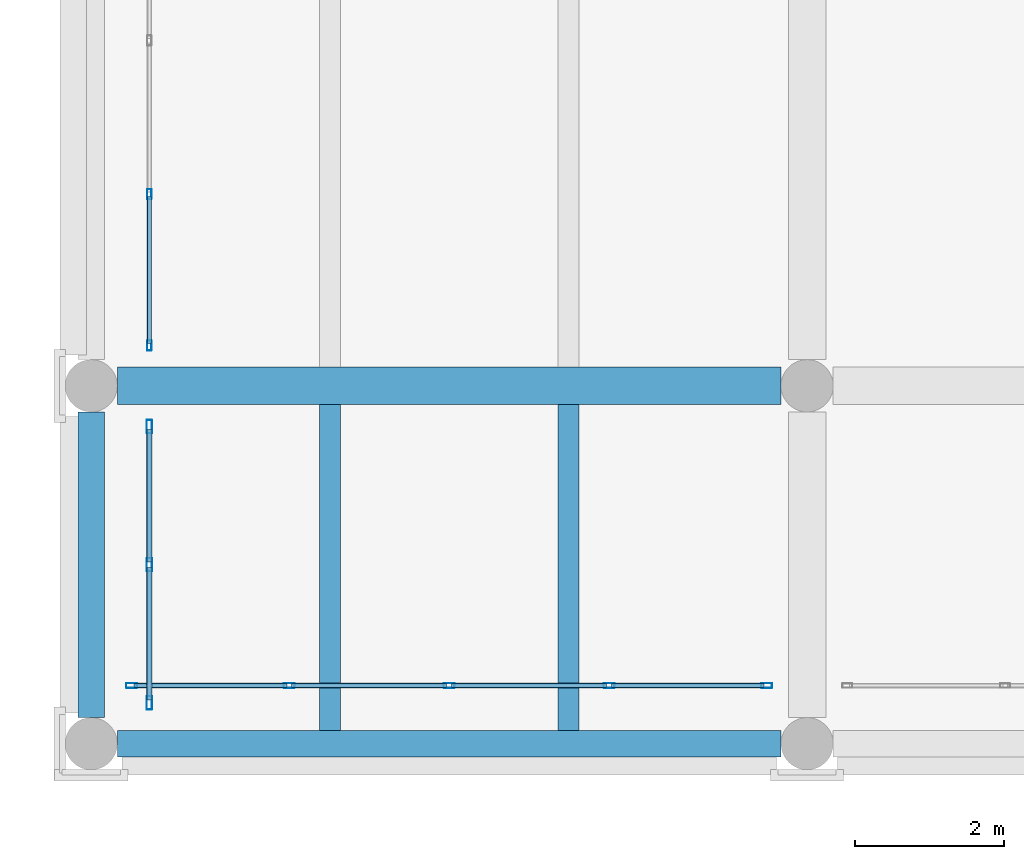
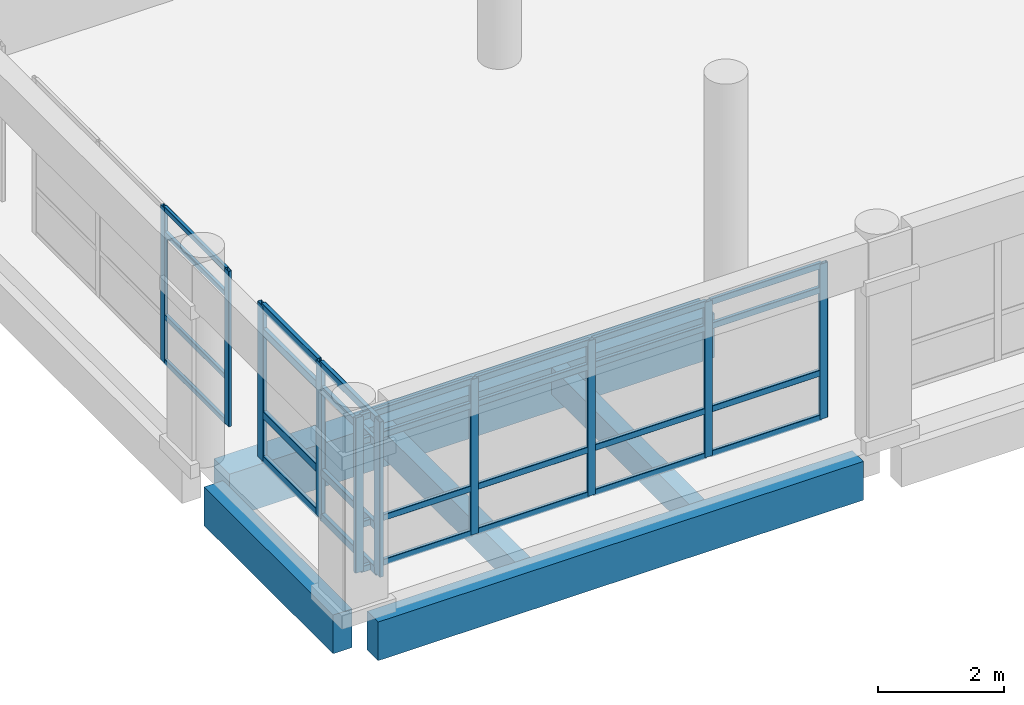
# One storey, part 9 of 180: 38 members, 5 beams, 3 elements without a shape of their own.
"""IFC4 building model written with IfcOpenShell, lengths in metres."""

from ifc_helpers import new_model, si_unit, direction, frame, origin, origin_2d, place, context, subcontext, project, spatial, rectangle, hollow_rectangle, extrude, material, layer, layer_set, material_profile, profile_set, type_object, element, aggregate, save


model = new_model("IFC4")

# Units and contexts
model_context = context("Model", 3, precision=1e-05, world=origin(), true_north=direction((0.0, 1.0)))
body_context = subcontext(model_context, "Body", "Model", "MODEL_VIEW")
ifc_project = project(units=[si_unit("LENGTHUNIT", "METRE"), si_unit("AREAUNIT", "SQUARE_METRE"), si_unit("VOLUMEUNIT", "CUBIC_METRE"), si_unit("PLANEANGLEUNIT", "RADIAN"), si_unit("MASSUNIT", "GRAM", prefix="KILO")], contexts=[model_context])

# Site, building, storey
site_placement = place(None, origin())
site = spatial("IfcSite", under=ifc_project, at=site_placement, CompositionType="ELEMENT")
building_placement = place(site_placement, origin())
building = spatial("IfcBuilding", under=site, at=building_placement, Name="Asteropetra Specialist Clinic", CompositionType="ELEMENT")
storey_placement = place(building_placement, frame((0.0, 0.0, 4.419921875)))
storey = spatial("IfcBuildingStorey", under=building, at=storey_placement, Name="L01", CompositionType="ELEMENT", Elevation=4.419921875)

# Beam
ifc_material_1 = material(Name="Concrete C35/45", Category="concrete")
ifc_material_profile_1 = material_profile(ifc_material_1, rectangle(XDim=0.5, YDim=0.85009765625, at=origin_2d()), Name="RCB 500x850")
ifc_profile_set_1 = profile_set([ifc_material_profile_1], Name="Concrete C35/45")
beam_type_1 = type_object("IfcBeamType", Name="BM-RC500x850", PredefinedType="BEAM", material=ifc_profile_set_1)
beam_1_placement = place(storey_placement, frame((0.35009765625, 4.800048828125, -0.764892578125), z_axis=(1.0, 0.0, 0.0), x_axis=(0.0, 1.0, 0.0)))
element("IfcBeam", 1, at=beam_1_placement, inside=storey, type_object=beam_type_1, Name="Beam BBM03-0232", PredefinedType="BEAM", context=body_context, shape_type="SweptSolid", body=[
    extrude(rectangle(XDim=0.5, YDim=0.85009765625, at=origin_2d()), origin(), (0.0, 0.0, 1.0), 8.89990234375),
])

# Curtain wall, members
ifc_material_2 = material(Name="Aluminium and low-E glass", Category="aluminium")
ifc_layer_1 = layer(ifc_material_2, 0.179931640625)
ifc_layer_set_1 = layer_set([ifc_layer_1], Name="Aluminium and low-E glass")
curtain_wall_type_1 = type_object("IfcCurtainWallType", Name="CW-SYS-10", PredefinedType="USERDEFINED", material=ifc_layer_set_1)
curtain_wall_1_placement = place(storey_placement, origin())
curtain_wall_1 = element("IfcCurtainWall", 2, at=curtain_wall_1_placement, inside=storey, type_object=curtain_wall_type_1, Name="Curtain Wall CW-143", ObjectType="STICK GLAZED COLONNADE", PredefinedType="USERDEFINED")
ifc_material_3 = material(Name="Aluminium 6063-T6", Category="aluminium")
ifc_material_profile_2 = material_profile(ifc_material_3, hollow_rectangle(XDim=0.06005859375, YDim=0.135009765625, WallThickness=0.00341796875, InnerFilletRadius=0.00341796875, OuterFilletRadius=0.007080078125, at=origin_2d()), Name="MUL 135x60x3.5")
ifc_profile_set_2 = profile_set([ifc_material_profile_2], Name="Aluminium 6063-T6")
member_type_1 = type_object("IfcMemberType", Name="CWM-135x60", PredefinedType="MULLION", material=ifc_profile_set_2)
member_1_placement = place(storey_placement, frame((0.780029296875, 7.3701171875, 0.0), z_axis=(0.0, 0.0, 1.0), x_axis=(1.0, 0.0, 0.0)))
member_1 = element("IfcMember", 3, at=member_1_placement, type_object=member_type_1, Name="CW-143 mullion 3", PredefinedType="MULLION", context=body_context, shape_type="SweptSolid", body=[
    extrude(hollow_rectangle(XDim=0.06005859375, YDim=0.135009765625, WallThickness=0.00341796875, InnerFilletRadius=0.00341796875, OuterFilletRadius=0.007080078125, at=origin_2d()), origin(), (0.0, 0.0, 1.0), 3.010009765625),
])
member_2_placement = place(storey_placement, frame((0.780029296875, 5.340087890625, 0.0), z_axis=(0.0, 0.0, 1.0), x_axis=(1.0, 0.0, 0.0)))
member_2 = element("IfcMember", 4, at=member_2_placement, type_object=member_type_1, Name="CW-143 mullion 4", PredefinedType="MULLION", context=body_context, shape_type="SweptSolid", body=[
    extrude(hollow_rectangle(XDim=0.06005859375, YDim=0.135009765625, WallThickness=0.00341796875, InnerFilletRadius=0.00341796875, OuterFilletRadius=0.007080078125, at=origin_2d()), origin(), (0.0, 0.0, 1.0), 3.010009765625),
])

ifc_material_4 = material(Name="Aluminium and low-E glass", Category="aluminium")
ifc_layer_2 = layer(ifc_material_4, 0.135009765625)
ifc_layer_set_2 = layer_set([ifc_layer_2], Name="Aluminium and low-E glass")
curtain_wall_type_2 = type_object("IfcCurtainWallType", Name="CW-SYS-09", PredefinedType="USERDEFINED", material=ifc_layer_set_2)
curtain_wall_2_placement = place(storey_placement, origin())
curtain_wall_2 = element("IfcCurtainWall", 5, at=curtain_wall_2_placement, inside=storey, type_object=curtain_wall_type_2, Name="Curtain Wall CW-133", ObjectType="STICK GLAZED COLONNADE", PredefinedType="USERDEFINED")
ifc_material_5 = material(Name="Aluminium 6063-T6", Category="aluminium")
ifc_material_profile_3 = material_profile(ifc_material_5, hollow_rectangle(XDim=0.06494140625, YDim=0.14990234375, WallThickness=0.00390625, InnerFilletRadius=0.00390625, OuterFilletRadius=0.008056640625, at=origin_2d()), Name="MUL 150x65x4.0")
ifc_profile_set_3 = profile_set([ifc_material_profile_3], Name="Aluminium 6063-T6")
member_type_2 = type_object("IfcMemberType", Name="CWM-150x65", PredefinedType="MULLION", material=ifc_profile_set_3)
member_3_placement = place(storey_placement, frame((0.54248046875, 0.780029296875, 0.0), z_axis=(0.0, 0.0, 1.0), x_axis=(0.0, 1.0, 0.0)))
member_3 = element("IfcMember", 6, at=member_3_placement, type_object=member_type_2, Name="CW-133 mullion 1", PredefinedType="MULLION", context=body_context, shape_type="SweptSolid", body=[
    extrude(hollow_rectangle(XDim=0.06494140625, YDim=0.14990234375, WallThickness=0.00390625, InnerFilletRadius=0.00390625, OuterFilletRadius=0.008056640625, at=origin_2d()), origin(), (0.0, 0.0, 1.0), 3.010009765625),
])
member_4_placement = place(storey_placement, frame((2.655029296875, 0.780029296875, 0.0), z_axis=(0.0, 0.0, 1.0), x_axis=(0.0, 1.0, 0.0)))
member_4 = element("IfcMember", 7, at=member_4_placement, type_object=member_type_2, Name="CW-133 mullion 2", PredefinedType="MULLION", context=body_context, shape_type="SweptSolid", body=[
    extrude(hollow_rectangle(XDim=0.06494140625, YDim=0.14990234375, WallThickness=0.00390625, InnerFilletRadius=0.00390625, OuterFilletRadius=0.008056640625, at=origin_2d()), origin(), (0.0, 0.0, 1.0), 3.010009765625),
])
member_5_placement = place(storey_placement, frame((4.800048828125, 0.780029296875, 0.0), z_axis=(0.0, 0.0, 1.0), x_axis=(0.0, 1.0, 0.0)))
member_5 = element("IfcMember", 8, at=member_5_placement, type_object=member_type_2, Name="CW-133 mullion 3", PredefinedType="MULLION", context=body_context, shape_type="SweptSolid", body=[
    extrude(hollow_rectangle(XDim=0.06494140625, YDim=0.14990234375, WallThickness=0.00390625, InnerFilletRadius=0.00390625, OuterFilletRadius=0.008056640625, at=origin_2d()), origin(), (0.0, 0.0, 1.0), 3.010009765625),
])
member_6_placement = place(storey_placement, frame((6.945068359375, 0.780029296875, 0.0), z_axis=(0.0, 0.0, 1.0), x_axis=(0.0, 1.0, 0.0)))
member_6 = element("IfcMember", 9, at=member_6_placement, type_object=member_type_2, Name="CW-133 mullion 4", PredefinedType="MULLION", context=body_context, shape_type="SweptSolid", body=[
    extrude(hollow_rectangle(XDim=0.06494140625, YDim=0.14990234375, WallThickness=0.00390625, InnerFilletRadius=0.00390625, OuterFilletRadius=0.008056640625, at=origin_2d()), origin(), (0.0, 0.0, 1.0), 3.010009765625),
])
member_7_placement = place(storey_placement, frame((9.0576171875, 0.780029296875, 0.0), z_axis=(0.0, 0.0, 1.0), x_axis=(0.0, 1.0, 0.0)))
member_7 = element("IfcMember", 10, at=member_7_placement, type_object=member_type_2, Name="CW-133 mullion 5", PredefinedType="MULLION", context=body_context, shape_type="SweptSolid", body=[
    extrude(hollow_rectangle(XDim=0.06494140625, YDim=0.14990234375, WallThickness=0.00390625, InnerFilletRadius=0.00390625, OuterFilletRadius=0.008056640625, at=origin_2d()), origin(), (0.0, 0.0, 1.0), 3.010009765625),
])

curtain_wall_3_placement = place(storey_placement, origin())
curtain_wall_3 = element("IfcCurtainWall", 11, at=curtain_wall_3_placement, inside=storey, type_object=curtain_wall_type_1, Name="Curtain Wall CW-141", ObjectType="STICK GLAZED COLONNADE", PredefinedType="USERDEFINED")
ifc_material_6 = material(Name="Aluminium 6063-T6", Category="aluminium")
ifc_material_profile_4 = material_profile(ifc_material_6, hollow_rectangle(XDim=0.074951171875, YDim=0.179931640625, WallThickness=0.00390625, InnerFilletRadius=0.00390625, OuterFilletRadius=0.008056640625, at=origin_2d()), Name="MUL 180x75x4.0")
ifc_profile_set_4 = profile_set([ifc_material_profile_4], Name="Aluminium 6063-T6")
member_type_3 = type_object("IfcMemberType", Name="CWM-180x75", PredefinedType="MULLION", material=ifc_profile_set_4)
member_8_placement = place(storey_placement, frame((0.780029296875, 4.25244140625, 0.0), z_axis=(0.0, 0.0, 1.0), x_axis=(1.0, 0.0, 0.0)))
member_8 = element("IfcMember", 12, at=member_8_placement, type_object=member_type_3, Name="CW-141 mullion 1", PredefinedType="MULLION", context=body_context, shape_type="SweptSolid", body=[
    extrude(hollow_rectangle(XDim=0.074951171875, YDim=0.179931640625, WallThickness=0.00390625, InnerFilletRadius=0.00390625, OuterFilletRadius=0.008056640625, at=origin_2d()), origin(), (0.0, 0.0, 1.0), 3.010009765625),
])
member_9_placement = place(storey_placement, frame((0.780029296875, 2.39990234375, 0.0), z_axis=(0.0, 0.0, 1.0), x_axis=(1.0, 0.0, 0.0)))
member_9 = element("IfcMember", 13, at=member_9_placement, type_object=member_type_3, Name="CW-141 mullion 2", PredefinedType="MULLION", context=body_context, shape_type="SweptSolid", body=[
    extrude(hollow_rectangle(XDim=0.074951171875, YDim=0.179931640625, WallThickness=0.00390625, InnerFilletRadius=0.00390625, OuterFilletRadius=0.008056640625, at=origin_2d()), origin(), (0.0, 0.0, 1.0), 3.010009765625),
])
member_10_placement = place(storey_placement, frame((0.780029296875, 0.547607421875, 0.0), z_axis=(0.0, 0.0, 1.0), x_axis=(1.0, 0.0, 0.0)))
member_10 = element("IfcMember", 14, at=member_10_placement, type_object=member_type_3, Name="CW-141 mullion 3", PredefinedType="MULLION", context=body_context, shape_type="SweptSolid", body=[
    extrude(hollow_rectangle(XDim=0.074951171875, YDim=0.179931640625, WallThickness=0.00390625, InnerFilletRadius=0.00390625, OuterFilletRadius=0.008056640625, at=origin_2d()), origin(), (0.0, 0.0, 1.0), 3.010009765625),
])

# Member
ifc_material_7 = material(Name="Aluminium 6063-T6", Category="aluminium")
ifc_material_profile_5 = material_profile(ifc_material_7, hollow_rectangle(XDim=0.06005859375, YDim=0.10009765625, WallThickness=0.00341796875, InnerFilletRadius=0.00341796875, OuterFilletRadius=0.007080078125, at=origin_2d()), Name="TRN 100x60x3.5")
ifc_profile_set_5 = profile_set([ifc_material_profile_5], Name="Aluminium 6063-T6")
member_type_4 = type_object("IfcMemberType", Name="CWT-100x60", PredefinedType="USERDEFINED", material=ifc_profile_set_5)
member_11_placement = place(storey_placement, frame((0.780029296875, 7.340087890625, 0.030029296875), z_axis=(0.0, -1.0, 0.0), x_axis=(1.0, 0.0, 0.0)))
member_11 = element("IfcMember", 15, at=member_11_placement, type_object=member_type_4, Name="CW-143 transom 3.1", ObjectType="TRANSOM", PredefinedType="USERDEFINED", context=body_context, shape_type="SweptSolid", body=[
    extrude(hollow_rectangle(XDim=0.06005859375, YDim=0.10009765625, WallThickness=0.00341796875, InnerFilletRadius=0.00341796875, OuterFilletRadius=0.007080078125, at=origin_2d()), origin(), (0.0, 0.0, 1.0), 1.969970703125),
])

member_12_placement = place(storey_placement, frame((0.780029296875, 7.340087890625, 0.900146484375), z_axis=(0.0, -1.0, 0.0), x_axis=(1.0, 0.0, 0.0)))
member_12 = element("IfcMember", 16, at=member_12_placement, type_object=member_type_4, Name="CW-143 transom 3.2", ObjectType="TRANSOM", PredefinedType="USERDEFINED", context=body_context, shape_type="SweptSolid", body=[
    extrude(hollow_rectangle(XDim=0.06005859375, YDim=0.10009765625, WallThickness=0.00341796875, InnerFilletRadius=0.00341796875, OuterFilletRadius=0.007080078125, at=origin_2d()), origin(), (0.0, 0.0, 1.0), 1.969970703125),
])

member_13_placement = place(storey_placement, frame((0.780029296875, 7.340087890625, 2.510009765625), z_axis=(0.0, -1.0, 0.0), x_axis=(1.0, 0.0, 0.0)))
member_13 = element("IfcMember", 17, at=member_13_placement, type_object=member_type_4, Name="CW-143 transom 3.3", ObjectType="TRANSOM", PredefinedType="USERDEFINED", context=body_context, shape_type="SweptSolid", body=[
    extrude(hollow_rectangle(XDim=0.06005859375, YDim=0.10009765625, WallThickness=0.00341796875, InnerFilletRadius=0.00341796875, OuterFilletRadius=0.007080078125, at=origin_2d()), origin(), (0.0, 0.0, 1.0), 1.969970703125),
])

member_14_placement = place(storey_placement, frame((0.780029296875, 7.340087890625, 2.97998046875), z_axis=(0.0, -1.0, 0.0), x_axis=(1.0, 0.0, 0.0)))
member_14 = element("IfcMember", 18, at=member_14_placement, type_object=member_type_4, Name="CW-143 transom 3.4", ObjectType="TRANSOM", PredefinedType="USERDEFINED", context=body_context, shape_type="SweptSolid", body=[
    extrude(hollow_rectangle(XDim=0.06005859375, YDim=0.10009765625, WallThickness=0.00341796875, InnerFilletRadius=0.00341796875, OuterFilletRadius=0.007080078125, at=origin_2d()), origin(), (0.0, 0.0, 1.0), 1.969970703125),
])

aggregate(curtain_wall_1, [member_1, member_2, member_11, member_12, member_13, member_14])

ifc_material_8 = material(Name="Aluminium 6063-T6", Category="aluminium")
ifc_material_profile_6 = material_profile(ifc_material_8, hollow_rectangle(XDim=0.06494140625, YDim=0.1201171875, WallThickness=0.00390625, InnerFilletRadius=0.00390625, OuterFilletRadius=0.008056640625, at=origin_2d()), Name="TRN 120x65x4.0")
ifc_profile_set_6 = profile_set([ifc_material_profile_6], Name="Aluminium 6063-T6")
member_type_5 = type_object("IfcMemberType", Name="CWT-120x65", PredefinedType="USERDEFINED", material=ifc_profile_set_6)
member_15_placement = place(storey_placement, frame((0.574951171875, 0.780029296875, 0.032470703125), z_axis=(1.0, 0.0, 0.0), x_axis=(0.0, 1.0, 0.0)))
member_15 = element("IfcMember", 19, at=member_15_placement, type_object=member_type_5, Name="CW-133 transom 1.1", ObjectType="TRANSOM", PredefinedType="USERDEFINED", context=body_context, shape_type="SweptSolid", body=[
    extrude(hollow_rectangle(XDim=0.06494140625, YDim=0.1201171875, WallThickness=0.00390625, InnerFilletRadius=0.00390625, OuterFilletRadius=0.008056640625, at=origin_2d()), origin(), (0.0, 0.0, 1.0), 2.047607421875),
])

member_16_placement = place(storey_placement, frame((0.574951171875, 0.780029296875, 0.900146484375), z_axis=(1.0, 0.0, 0.0), x_axis=(0.0, 1.0, 0.0)))
member_16 = element("IfcMember", 20, at=member_16_placement, type_object=member_type_5, Name="CW-133 transom 1.2", ObjectType="TRANSOM", PredefinedType="USERDEFINED", context=body_context, shape_type="SweptSolid", body=[
    extrude(hollow_rectangle(XDim=0.06494140625, YDim=0.1201171875, WallThickness=0.00390625, InnerFilletRadius=0.00390625, OuterFilletRadius=0.008056640625, at=origin_2d()), origin(), (0.0, 0.0, 1.0), 2.047607421875),
])

member_17_placement = place(storey_placement, frame((0.574951171875, 0.780029296875, 2.510009765625), z_axis=(1.0, 0.0, 0.0), x_axis=(0.0, 1.0, 0.0)))
member_17 = element("IfcMember", 21, at=member_17_placement, type_object=member_type_5, Name="CW-133 transom 1.3", ObjectType="TRANSOM", PredefinedType="USERDEFINED", context=body_context, shape_type="SweptSolid", body=[
    extrude(hollow_rectangle(XDim=0.06494140625, YDim=0.1201171875, WallThickness=0.00390625, InnerFilletRadius=0.00390625, OuterFilletRadius=0.008056640625, at=origin_2d()), origin(), (0.0, 0.0, 1.0), 2.047607421875),
])

member_18_placement = place(storey_placement, frame((0.574951171875, 0.780029296875, 2.9775390625), z_axis=(1.0, 0.0, 0.0), x_axis=(0.0, 1.0, 0.0)))
member_18 = element("IfcMember", 22, at=member_18_placement, type_object=member_type_5, Name="CW-133 transom 1.4", ObjectType="TRANSOM", PredefinedType="USERDEFINED", context=body_context, shape_type="SweptSolid", body=[
    extrude(hollow_rectangle(XDim=0.06494140625, YDim=0.1201171875, WallThickness=0.00390625, InnerFilletRadius=0.00390625, OuterFilletRadius=0.008056640625, at=origin_2d()), origin(), (0.0, 0.0, 1.0), 2.047607421875),
])

member_19_placement = place(storey_placement, frame((2.6875, 0.780029296875, 0.032470703125), z_axis=(1.0, 0.0, 0.0), x_axis=(0.0, 1.0, 0.0)))
member_19 = element("IfcMember", 23, at=member_19_placement, type_object=member_type_5, Name="CW-133 transom 2.1", ObjectType="TRANSOM", PredefinedType="USERDEFINED", context=body_context, shape_type="SweptSolid", body=[
    extrude(hollow_rectangle(XDim=0.06494140625, YDim=0.1201171875, WallThickness=0.00390625, InnerFilletRadius=0.00390625, OuterFilletRadius=0.008056640625, at=origin_2d()), origin(), (0.0, 0.0, 1.0), 2.080078125),
])

member_20_placement = place(storey_placement, frame((2.6875, 0.780029296875, 0.900146484375), z_axis=(1.0, 0.0, 0.0), x_axis=(0.0, 1.0, 0.0)))
member_20 = element("IfcMember", 24, at=member_20_placement, type_object=member_type_5, Name="CW-133 transom 2.2", ObjectType="TRANSOM", PredefinedType="USERDEFINED", context=body_context, shape_type="SweptSolid", body=[
    extrude(hollow_rectangle(XDim=0.06494140625, YDim=0.1201171875, WallThickness=0.00390625, InnerFilletRadius=0.00390625, OuterFilletRadius=0.008056640625, at=origin_2d()), origin(), (0.0, 0.0, 1.0), 2.080078125),
])

member_21_placement = place(storey_placement, frame((2.6875, 0.780029296875, 2.510009765625), z_axis=(1.0, 0.0, 0.0), x_axis=(0.0, 1.0, 0.0)))
member_21 = element("IfcMember", 25, at=member_21_placement, type_object=member_type_5, Name="CW-133 transom 2.3", ObjectType="TRANSOM", PredefinedType="USERDEFINED", context=body_context, shape_type="SweptSolid", body=[
    extrude(hollow_rectangle(XDim=0.06494140625, YDim=0.1201171875, WallThickness=0.00390625, InnerFilletRadius=0.00390625, OuterFilletRadius=0.008056640625, at=origin_2d()), origin(), (0.0, 0.0, 1.0), 2.080078125),
])

member_22_placement = place(storey_placement, frame((2.6875, 0.780029296875, 2.9775390625), z_axis=(1.0, 0.0, 0.0), x_axis=(0.0, 1.0, 0.0)))
member_22 = element("IfcMember", 26, at=member_22_placement, type_object=member_type_5, Name="CW-133 transom 2.4", ObjectType="TRANSOM", PredefinedType="USERDEFINED", context=body_context, shape_type="SweptSolid", body=[
    extrude(hollow_rectangle(XDim=0.06494140625, YDim=0.1201171875, WallThickness=0.00390625, InnerFilletRadius=0.00390625, OuterFilletRadius=0.008056640625, at=origin_2d()), origin(), (0.0, 0.0, 1.0), 2.080078125),
])

member_23_placement = place(storey_placement, frame((4.83251953125, 0.780029296875, 0.032470703125), z_axis=(1.0, 0.0, 0.0), x_axis=(0.0, 1.0, 0.0)))
member_23 = element("IfcMember", 27, at=member_23_placement, type_object=member_type_5, Name="CW-133 transom 3.1", ObjectType="TRANSOM", PredefinedType="USERDEFINED", context=body_context, shape_type="SweptSolid", body=[
    extrude(hollow_rectangle(XDim=0.06494140625, YDim=0.1201171875, WallThickness=0.00390625, InnerFilletRadius=0.00390625, OuterFilletRadius=0.008056640625, at=origin_2d()), origin(), (0.0, 0.0, 1.0), 2.080078125),
])

member_24_placement = place(storey_placement, frame((4.83251953125, 0.780029296875, 0.900146484375), z_axis=(1.0, 0.0, 0.0), x_axis=(0.0, 1.0, 0.0)))
member_24 = element("IfcMember", 28, at=member_24_placement, type_object=member_type_5, Name="CW-133 transom 3.2", ObjectType="TRANSOM", PredefinedType="USERDEFINED", context=body_context, shape_type="SweptSolid", body=[
    extrude(hollow_rectangle(XDim=0.06494140625, YDim=0.1201171875, WallThickness=0.00390625, InnerFilletRadius=0.00390625, OuterFilletRadius=0.008056640625, at=origin_2d()), origin(), (0.0, 0.0, 1.0), 2.080078125),
])

member_25_placement = place(storey_placement, frame((4.83251953125, 0.780029296875, 2.510009765625), z_axis=(1.0, 0.0, 0.0), x_axis=(0.0, 1.0, 0.0)))
member_25 = element("IfcMember", 29, at=member_25_placement, type_object=member_type_5, Name="CW-133 transom 3.3", ObjectType="TRANSOM", PredefinedType="USERDEFINED", context=body_context, shape_type="SweptSolid", body=[
    extrude(hollow_rectangle(XDim=0.06494140625, YDim=0.1201171875, WallThickness=0.00390625, InnerFilletRadius=0.00390625, OuterFilletRadius=0.008056640625, at=origin_2d()), origin(), (0.0, 0.0, 1.0), 2.080078125),
])

member_26_placement = place(storey_placement, frame((4.83251953125, 0.780029296875, 2.9775390625), z_axis=(1.0, 0.0, 0.0), x_axis=(0.0, 1.0, 0.0)))
member_26 = element("IfcMember", 30, at=member_26_placement, type_object=member_type_5, Name="CW-133 transom 3.4", ObjectType="TRANSOM", PredefinedType="USERDEFINED", context=body_context, shape_type="SweptSolid", body=[
    extrude(hollow_rectangle(XDim=0.06494140625, YDim=0.1201171875, WallThickness=0.00390625, InnerFilletRadius=0.00390625, OuterFilletRadius=0.008056640625, at=origin_2d()), origin(), (0.0, 0.0, 1.0), 2.080078125),
])

member_27_placement = place(storey_placement, frame((6.9775390625, 0.780029296875, 0.032470703125), z_axis=(1.0, 0.0, 0.0), x_axis=(0.0, 1.0, 0.0)))
member_27 = element("IfcMember", 31, at=member_27_placement, type_object=member_type_5, Name="CW-133 transom 4.1", ObjectType="TRANSOM", PredefinedType="USERDEFINED", context=body_context, shape_type="SweptSolid", body=[
    extrude(hollow_rectangle(XDim=0.06494140625, YDim=0.1201171875, WallThickness=0.00390625, InnerFilletRadius=0.00390625, OuterFilletRadius=0.008056640625, at=origin_2d()), origin(), (0.0, 0.0, 1.0), 2.04736328125),
])

member_28_placement = place(storey_placement, frame((6.9775390625, 0.780029296875, 0.900146484375), z_axis=(1.0, 0.0, 0.0), x_axis=(0.0, 1.0, 0.0)))
member_28 = element("IfcMember", 32, at=member_28_placement, type_object=member_type_5, Name="CW-133 transom 4.2", ObjectType="TRANSOM", PredefinedType="USERDEFINED", context=body_context, shape_type="SweptSolid", body=[
    extrude(hollow_rectangle(XDim=0.06494140625, YDim=0.1201171875, WallThickness=0.00390625, InnerFilletRadius=0.00390625, OuterFilletRadius=0.008056640625, at=origin_2d()), origin(), (0.0, 0.0, 1.0), 2.04736328125),
])

member_29_placement = place(storey_placement, frame((6.9775390625, 0.780029296875, 2.510009765625), z_axis=(1.0, 0.0, 0.0), x_axis=(0.0, 1.0, 0.0)))
member_29 = element("IfcMember", 33, at=member_29_placement, type_object=member_type_5, Name="CW-133 transom 4.3", ObjectType="TRANSOM", PredefinedType="USERDEFINED", context=body_context, shape_type="SweptSolid", body=[
    extrude(hollow_rectangle(XDim=0.06494140625, YDim=0.1201171875, WallThickness=0.00390625, InnerFilletRadius=0.00390625, OuterFilletRadius=0.008056640625, at=origin_2d()), origin(), (0.0, 0.0, 1.0), 2.04736328125),
])

member_30_placement = place(storey_placement, frame((6.9775390625, 0.780029296875, 2.9775390625), z_axis=(1.0, 0.0, 0.0), x_axis=(0.0, 1.0, 0.0)))
member_30 = element("IfcMember", 34, at=member_30_placement, type_object=member_type_5, Name="CW-133 transom 4.4", ObjectType="TRANSOM", PredefinedType="USERDEFINED", context=body_context, shape_type="SweptSolid", body=[
    extrude(hollow_rectangle(XDim=0.06494140625, YDim=0.1201171875, WallThickness=0.00390625, InnerFilletRadius=0.00390625, OuterFilletRadius=0.008056640625, at=origin_2d()), origin(), (0.0, 0.0, 1.0), 2.04736328125),
])

aggregate(curtain_wall_2, [member_3, member_4, member_5, member_6, member_7, member_15, member_16, member_17, member_18, member_19, member_20, member_21, member_22, member_23, member_24, member_25, member_26, member_27, member_28, member_29, member_30])

ifc_material_9 = material(Name="Aluminium 6063-T6", Category="aluminium")
ifc_material_profile_7 = material_profile(ifc_material_9, hollow_rectangle(XDim=0.074951171875, YDim=0.14990234375, WallThickness=0.00390625, InnerFilletRadius=0.00390625, OuterFilletRadius=0.008056640625, at=origin_2d()), Name="TRN 150x75x4.0")
ifc_profile_set_7 = profile_set([ifc_material_profile_7], Name="Aluminium 6063-T6")
member_type_6 = type_object("IfcMemberType", Name="CWT-150x75", PredefinedType="USERDEFINED", material=ifc_profile_set_7)
member_31_placement = place(storey_placement, frame((0.780029296875, 4.215087890625, 0.03759765625), z_axis=(0.0, -1.0, 0.0), x_axis=(1.0, 0.0, 0.0)))
member_31 = element("IfcMember", 35, at=member_31_placement, type_object=member_type_6, Name="CW-141 transom 1.1", ObjectType="TRANSOM", PredefinedType="USERDEFINED", context=body_context, shape_type="SweptSolid", body=[
    extrude(hollow_rectangle(XDim=0.074951171875, YDim=0.14990234375, WallThickness=0.00390625, InnerFilletRadius=0.00390625, OuterFilletRadius=0.008056640625, at=origin_2d()), origin(), (0.0, 0.0, 1.0), 1.777587890625),
])

member_32_placement = place(storey_placement, frame((0.780029296875, 4.215087890625, 0.900146484375), z_axis=(0.0, -1.0, 0.0), x_axis=(1.0, 0.0, 0.0)))
member_32 = element("IfcMember", 36, at=member_32_placement, type_object=member_type_6, Name="CW-141 transom 1.2", ObjectType="TRANSOM", PredefinedType="USERDEFINED", context=body_context, shape_type="SweptSolid", body=[
    extrude(hollow_rectangle(XDim=0.074951171875, YDim=0.14990234375, WallThickness=0.00390625, InnerFilletRadius=0.00390625, OuterFilletRadius=0.008056640625, at=origin_2d()), origin(), (0.0, 0.0, 1.0), 1.777587890625),
])

member_33_placement = place(storey_placement, frame((0.780029296875, 4.215087890625, 2.510009765625), z_axis=(0.0, -1.0, 0.0), x_axis=(1.0, 0.0, 0.0)))
member_33 = element("IfcMember", 37, at=member_33_placement, type_object=member_type_6, Name="CW-141 transom 1.3", ObjectType="TRANSOM", PredefinedType="USERDEFINED", context=body_context, shape_type="SweptSolid", body=[
    extrude(hollow_rectangle(XDim=0.074951171875, YDim=0.14990234375, WallThickness=0.00390625, InnerFilletRadius=0.00390625, OuterFilletRadius=0.008056640625, at=origin_2d()), origin(), (0.0, 0.0, 1.0), 1.777587890625),
])

member_34_placement = place(storey_placement, frame((0.780029296875, 4.215087890625, 2.97265625), z_axis=(0.0, -1.0, 0.0), x_axis=(1.0, 0.0, 0.0)))
member_34 = element("IfcMember", 38, at=member_34_placement, type_object=member_type_6, Name="CW-141 transom 1.4", ObjectType="TRANSOM", PredefinedType="USERDEFINED", context=body_context, shape_type="SweptSolid", body=[
    extrude(hollow_rectangle(XDim=0.074951171875, YDim=0.14990234375, WallThickness=0.00390625, InnerFilletRadius=0.00390625, OuterFilletRadius=0.008056640625, at=origin_2d()), origin(), (0.0, 0.0, 1.0), 1.777587890625),
])

member_35_placement = place(storey_placement, frame((0.780029296875, 2.362548828125, 0.03759765625), z_axis=(0.0, -1.0, 0.0), x_axis=(1.0, 0.0, 0.0)))
member_35 = element("IfcMember", 39, at=member_35_placement, type_object=member_type_6, Name="CW-141 transom 2.1", ObjectType="TRANSOM", PredefinedType="USERDEFINED", context=body_context, shape_type="SweptSolid", body=[
    extrude(hollow_rectangle(XDim=0.074951171875, YDim=0.14990234375, WallThickness=0.00390625, InnerFilletRadius=0.00390625, OuterFilletRadius=0.008056640625, at=origin_2d()), origin(), (0.0, 0.0, 1.0), 1.777587890625),
])

member_36_placement = place(storey_placement, frame((0.780029296875, 2.362548828125, 0.900146484375), z_axis=(0.0, -1.0, 0.0), x_axis=(1.0, 0.0, 0.0)))
member_36 = element("IfcMember", 40, at=member_36_placement, type_object=member_type_6, Name="CW-141 transom 2.2", ObjectType="TRANSOM", PredefinedType="USERDEFINED", context=body_context, shape_type="SweptSolid", body=[
    extrude(hollow_rectangle(XDim=0.074951171875, YDim=0.14990234375, WallThickness=0.00390625, InnerFilletRadius=0.00390625, OuterFilletRadius=0.008056640625, at=origin_2d()), origin(), (0.0, 0.0, 1.0), 1.777587890625),
])

member_37_placement = place(storey_placement, frame((0.780029296875, 2.362548828125, 2.510009765625), z_axis=(0.0, -1.0, 0.0), x_axis=(1.0, 0.0, 0.0)))
member_37 = element("IfcMember", 41, at=member_37_placement, type_object=member_type_6, Name="CW-141 transom 2.3", ObjectType="TRANSOM", PredefinedType="USERDEFINED", context=body_context, shape_type="SweptSolid", body=[
    extrude(hollow_rectangle(XDim=0.074951171875, YDim=0.14990234375, WallThickness=0.00390625, InnerFilletRadius=0.00390625, OuterFilletRadius=0.008056640625, at=origin_2d()), origin(), (0.0, 0.0, 1.0), 1.777587890625),
])

member_38_placement = place(storey_placement, frame((0.780029296875, 2.362548828125, 2.97265625), z_axis=(0.0, -1.0, 0.0), x_axis=(1.0, 0.0, 0.0)))
member_38 = element("IfcMember", 42, at=member_38_placement, type_object=member_type_6, Name="CW-141 transom 2.4", ObjectType="TRANSOM", PredefinedType="USERDEFINED", context=body_context, shape_type="SweptSolid", body=[
    extrude(hollow_rectangle(XDim=0.074951171875, YDim=0.14990234375, WallThickness=0.00390625, InnerFilletRadius=0.00390625, OuterFilletRadius=0.008056640625, at=origin_2d()), origin(), (0.0, 0.0, 1.0), 1.777587890625),
])

aggregate(curtain_wall_3, [member_8, member_9, member_10, member_31, member_32, member_33, member_34, member_35, member_36, member_37, member_38])

# Beams
ifc_material_10 = material(Name="Concrete C35/45", Category="concrete")
ifc_material_profile_8 = material_profile(ifc_material_10, rectangle(XDim=0.280029296875, YDim=0.52001953125, at=origin_2d()), Name="RCJ 280x520")
ifc_profile_set_8 = profile_set([ifc_material_profile_8], Name="Concrete C35/45")
beam_type_2 = type_object("IfcBeamType", Name="JST-RC280x520", PredefinedType="JOIST", material=ifc_profile_set_8)
for number, where, z_axis, x_axis, name in (
    (43, (3.199951171875, 0.175048828125, -0.599853515625), (0.0, 1.0, 0.0), (-1.0, 0.0, 0.0), "Joist JJST01-0259"),
    (44, (6.39990234375, 0.175048828125, -0.599853515625), (0.0, 1.0, 0.0), (-1.0, 0.0, 0.0), "Joist JJST01-0260"),
):
    element("IfcBeam", number, at=place(storey_placement, frame(where, z_axis=z_axis, x_axis=x_axis)), inside=storey, type_object=beam_type_2, Name=name, PredefinedType="JOIST", context=body_context, shape_type="SweptSolid", body=[
        extrude(rectangle(XDim=0.280029296875, YDim=0.52001953125, at=origin_2d()), origin(), (0.0, 0.0, 1.0), 4.375),
    ])
ifc_material_11 = material(Name="Concrete C35/45", Category="concrete")
ifc_material_profile_9 = material_profile(ifc_material_11, rectangle(XDim=0.35009765625, YDim=0.75, at=origin_2d()), Name="RCS 350x750")
ifc_profile_set_9 = profile_set([ifc_material_profile_9], Name="Concrete C35/45")
beam_type_3 = type_object("IfcBeamType", Name="SPN-RC350x750", PredefinedType="SPANDREL", material=ifc_profile_set_9)
beam_2_placement = place(storey_placement, frame((0.35009765625, 0.0, -0.71484375), z_axis=(1.0, 0.0, 0.0), x_axis=(0.0, 1.0, 0.0)))
element("IfcBeam", 45, at=beam_2_placement, inside=storey, type_object=beam_type_3, Name="Beam BSPN01-0226", PredefinedType="SPANDREL", context=body_context, shape_type="SweptSolid", body=[
    extrude(rectangle(XDim=0.35009765625, YDim=0.75, at=origin_2d()), origin(), (0.0, 0.0, 1.0), 8.89990234375),
])
beam_3_placement = place(storey_placement, frame((0.0, 0.35009765625, -0.71484375), z_axis=(0.0, 1.0, 0.0), x_axis=(-1.0, 0.0, 0.0)))
element("IfcBeam", 46, at=beam_3_placement, inside=storey, type_object=beam_type_3, Name="Beam BSPN01-0252", PredefinedType="SPANDREL", context=body_context, shape_type="SweptSolid", body=[
    extrude(rectangle(XDim=0.35009765625, YDim=0.75, at=origin_2d()), origin(), (0.0, 0.0, 1.0), 4.099853515625),
])

save(model, "model.ifc")
